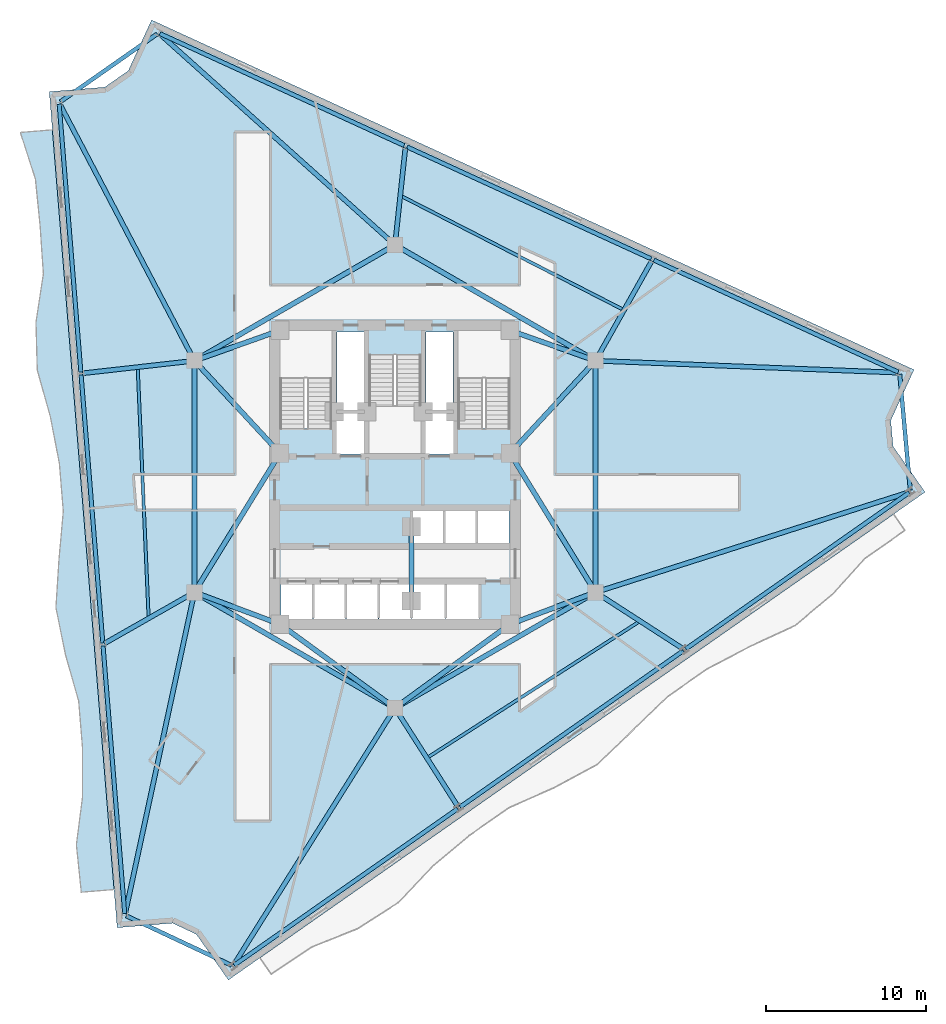
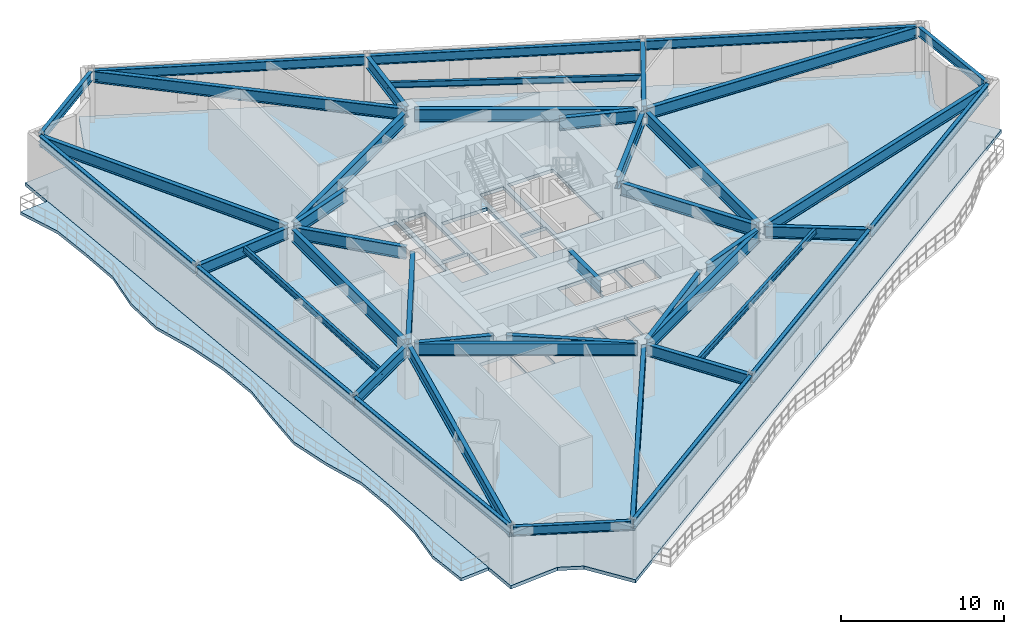
# One storey, part 3 of 10: 44 beams, 2 slabs.
"""IFC4 building model written with IfcOpenShell, lengths in metres."""

from ifc_helpers import new_model, si_unit, direction, frame, origin, origin_2d, place, context, subcontext, project, spatial, polyline, i_section, outline, extrude, material, layer, layer_set, material_profile, profile_set, type_object, element, save


model = new_model("IFC4")

# Units and contexts
model_context = context("Model", 3, precision=1e-05, world=origin(), true_north=direction((0.0, 1.0)))
body_context = subcontext(model_context, "Body", "Model", "MODEL_VIEW")
ifc_project = project(units=[si_unit("LENGTHUNIT", "METRE"), si_unit("AREAUNIT", "SQUARE_METRE"), si_unit("VOLUMEUNIT", "CUBIC_METRE"), si_unit("PLANEANGLEUNIT", "RADIAN"), si_unit("MASSUNIT", "GRAM", prefix="KILO")], contexts=[model_context])

# Site, building, storey
site_placement = place(None, origin())
site = spatial("IfcSite", under=ifc_project, at=site_placement, CompositionType="ELEMENT")
building_placement = place(site_placement, origin())
building = spatial("IfcBuilding", under=site, at=building_placement, Name="Apsidion Concourse Tower", CompositionType="ELEMENT")
storey_placement = place(building_placement, frame((0.0, 0.0, 218.800048828125)))
storey = spatial("IfcBuildingStorey", under=building, at=storey_placement, Name="L51", CompositionType="ELEMENT", Elevation=218.800048828125)

# Beams
ifc_material_1 = material(Name="Structural steel ASTM A992 Grade 50", Category="steel")
ifc_material_profile_1 = material_profile(ifc_material_1, i_section(OverallWidth=0.19091796875, OverallDepth=0.45703125, WebThickness=0.009033203125, FlangeThickness=0.014404296875, at=origin_2d()), Name="W18X50")
ifc_profile_set_1 = profile_set([ifc_material_profile_1], Name="Structural steel ASTM A992 Grade 50")
beam_type_1 = type_object("IfcBeamType", Name="BM-FL-W18", PredefinedType="BEAM", material=ifc_profile_set_1)
beam_1_placement = place(storey_placement, frame((-16.11181640625, 6.8505859375, 3.621337890625), z_axis=(0.043631006422, -0.999047714215, 0.0), x_axis=(0.999047714215, 0.043631006422, 0.0)))
element("IfcBeam", 1, at=beam_1_placement, inside=storey, type_object=beam_type_1, Name="L51 Secondary Floor Beam SEC-F1", PredefinedType="BEAM", context=body_context, shape_type="SweptSolid", body=[
    extrude(i_section(OverallWidth=0.19091796875, OverallDepth=0.45703125, WebThickness=0.009033203125, FlangeThickness=0.014404296875, at=origin_2d()), origin(), (0.0, 0.0, 1.0), 15.745849609375),
])
beam_2_placement = place(storey_placement, frame((1.998291015625, -17.62744140625, 3.621337890625), z_axis=(0.841372392943, 0.540455822796, 0.0), x_axis=(-0.540455822796, 0.841372392943, 0.0)))
element("IfcBeam", 2, at=beam_2_placement, inside=storey, type_object=beam_type_1, Name="L51 Secondary Floor Beam SEC-F2", PredefinedType="BEAM", context=body_context, shape_type="SweptSolid", body=[
    extrude(i_section(OverallWidth=0.19091796875, OverallDepth=0.45703125, WebThickness=0.009033203125, FlangeThickness=0.014404296875, at=origin_2d()), origin(), (0.0, 0.0, 1.0), 15.866943359375),
])
beam_3_placement = place(storey_placement, frame((14.345947265625, 10.4208984375, 3.621337890625), z_axis=(-0.89021964365, 0.455531542332, 0.0), x_axis=(-0.455531542332, -0.89021964365, 0.0)))
element("IfcBeam", 3, at=beam_3_placement, inside=storey, type_object=beam_type_1, Name="L51 Secondary Floor Beam SEC-F3", PredefinedType="BEAM", context=body_context, shape_type="SweptSolid", body=[
    extrude(i_section(OverallWidth=0.19091796875, OverallDepth=0.45703125, WebThickness=0.009033203125, FlangeThickness=0.014404296875, at=origin_2d()), origin(), (0.0, 0.0, 1.0), 15.742431640625),
])
ifc_material_profile_2 = material_profile(ifc_material_1, i_section(OverallWidth=0.2919921875, OverallDepth=0.85888671875, WebThickness=0.01708984375, FlangeThickness=0.031005859375, at=origin_2d()), Name="W33X169")
ifc_profile_set_2 = profile_set([ifc_material_profile_2], Name="Structural steel ASTM A992 Grade 50")
beam_type_2 = type_object("IfcBeamType", Name="BM-G-W33", PredefinedType="USERDEFINED", material=ifc_profile_set_2)
beam_4_placement = place(storey_placement, frame((-12.662109375, 7.44482421875, 3.42041015625), z_axis=(-0.464502454228, 0.885571832217, 0.0), x_axis=(-0.885571832217, -0.464502454228, 0.0)))
element("IfcBeam", 4, at=beam_4_placement, inside=storey, type_object=beam_type_2, Name="L51 Radial Floor Girder RAD-01", ObjectType="GIRDER", PredefinedType="USERDEFINED", context=body_context, shape_type="SweptSolid", body=[
    extrude(i_section(OverallWidth=0.2919921875, OverallDepth=0.85888671875, WebThickness=0.01708984375, FlangeThickness=0.031005859375, at=origin_2d()), origin(), (0.0, 0.0, 1.0), 17.93115234375),
])
beam_5_placement = place(storey_placement, frame((-12.778564453125, 7.225341796875, 3.42041015625), z_axis=(-0.993738563009, -0.111730337821, 0.0), x_axis=(0.111730337821, -0.993738563009, 0.0)))
element("IfcBeam", 5, at=beam_5_placement, inside=storey, type_object=beam_type_2, Name="L51 Radial Floor Girder RAD-02", ObjectType="GIRDER", PredefinedType="USERDEFINED", context=body_context, shape_type="SweptSolid", body=[
    extrude(i_section(OverallWidth=0.2919921875, OverallDepth=0.85888671875, WebThickness=0.01708984375, FlangeThickness=0.031005859375, at=origin_2d()), origin(), (0.0, 0.0, 1.0), 6.828369140625),
])
beam_6_placement = place(storey_placement, frame((-12.751220703125, -7.35888671875, 3.42041015625), z_axis=(-0.869137581248, -0.494570384134, 0.0), x_axis=(0.494570384134, -0.869137581248, 0.0)))
element("IfcBeam", 6, at=beam_6_placement, inside=storey, type_object=beam_type_2, Name="L51 Radial Floor Girder RAD-03", ObjectType="GIRDER", PredefinedType="USERDEFINED", context=body_context, shape_type="SweptSolid", body=[
    extrude(i_section(OverallWidth=0.2919921875, OverallDepth=0.85888671875, WebThickness=0.01708984375, FlangeThickness=0.031005859375, at=origin_2d()), origin(), (0.0, 0.0, 1.0), 6.272216796875),
])
beam_7_placement = place(storey_placement, frame((-12.606201171875, -7.465087890625, 3.42041015625), z_axis=(-0.210551493457, -0.97758276816, 0.0), x_axis=(0.97758276816, -0.210551493457, 0.0)))
element("IfcBeam", 7, at=beam_7_placement, inside=storey, type_object=beam_type_2, Name="L51 Radial Floor Girder RAD-04", ObjectType="GIRDER", PredefinedType="USERDEFINED", context=body_context, shape_type="SweptSolid", body=[
    extrude(i_section(OverallWidth=0.2919921875, OverallDepth=0.85888671875, WebThickness=0.01708984375, FlangeThickness=0.031005859375, at=origin_2d()), origin(), (0.0, 0.0, 1.0), 20.365966796875),
])
beam_8_placement = place(storey_placement, frame((-0.116943359375, -14.686279296875, 3.42041015625), z_axis=(-0.531745770751, -0.846904029562, 0.0), x_axis=(0.846904029562, -0.531745770751, 0.0)))
element("IfcBeam", 8, at=beam_8_placement, inside=storey, type_object=beam_type_2, Name="L51 Radial Floor Girder RAD-05", ObjectType="GIRDER", PredefinedType="USERDEFINED", context=body_context, shape_type="SweptSolid", body=[
    extrude(i_section(OverallWidth=0.2919921875, OverallDepth=0.85888671875, WebThickness=0.01708984375, FlangeThickness=0.031005859375, at=origin_2d()), origin(), (0.0, 0.0, 1.0), 18.7568359375),
])
beam_9_placement = place(storey_placement, frame((0.118408203125, -14.685302734375, 3.42041015625), z_axis=(0.538373682335, -0.842706222933, 0.0), x_axis=(0.842706222933, 0.538373682335, 0.0)))
element("IfcBeam", 9, at=beam_9_placement, inside=storey, type_object=beam_type_2, Name="L51 Radial Floor Girder RAD-06", ObjectType="GIRDER", PredefinedType="USERDEFINED", context=body_context, shape_type="SweptSolid", body=[
    extrude(i_section(OverallWidth=0.2919921875, OverallDepth=0.85888671875, WebThickness=0.01708984375, FlangeThickness=0.031005859375, at=origin_2d()), origin(), (0.0, 0.0, 1.0), 7.102783203125),
])
beam_10_placement = place(storey_placement, frame((12.744873046875, -7.369384765625, 3.42041015625), z_axis=(0.839870608356, -0.542786662714, 0.0), x_axis=(0.542786662714, 0.839870608356, 0.0)))
element("IfcBeam", 10, at=beam_10_placement, inside=storey, type_object=beam_type_2, Name="L51 Radial Floor Girder RAD-07", ObjectType="GIRDER", PredefinedType="USERDEFINED", context=body_context, shape_type="SweptSolid", body=[
    extrude(i_section(OverallWidth=0.2919921875, OverallDepth=0.85888671875, WebThickness=0.01708984375, FlangeThickness=0.031005859375, at=origin_2d()), origin(), (0.0, 0.0, 1.0), 6.319580078125),
])
beam_11_placement = place(storey_placement, frame((12.76953125, -7.18310546875, 3.42041015625), z_axis=(0.952593847726, 0.304244903449, 0.0), x_axis=(-0.304244903449, 0.952593847726, 0.0)))
element("IfcBeam", 11, at=beam_11_placement, inside=storey, type_object=beam_type_2, Name="L51 Radial Floor Girder RAD-08", ObjectType="GIRDER", PredefinedType="USERDEFINED", context=body_context, shape_type="SweptSolid", body=[
    extrude(i_section(OverallWidth=0.2919921875, OverallDepth=0.85888671875, WebThickness=0.01708984375, FlangeThickness=0.031005859375, at=origin_2d()), origin(), (0.0, 0.0, 1.0), 20.378173828125),
])
beam_12_placement = place(storey_placement, frame((12.77978515625, 7.2412109375, 3.42041015625), z_axis=(0.999223835847, -0.039391951902, 0.0), x_axis=(0.039391951902, 0.999223835847, 0.0)))
element("IfcBeam", 12, at=beam_12_placement, inside=storey, type_object=beam_type_2, Name="L51 Radial Floor Girder RAD-09", ObjectType="GIRDER", PredefinedType="USERDEFINED", context=body_context, shape_type="SweptSolid", body=[
    extrude(i_section(OverallWidth=0.2919921875, OverallDepth=0.85888671875, WebThickness=0.01708984375, FlangeThickness=0.031005859375, at=origin_2d()), origin(), (0.0, 0.0, 1.0), 18.73583984375),
])
beam_13_placement = place(storey_placement, frame((12.66796875, 7.441650390625, 3.42041015625), z_axis=(0.4907642116, 0.871292424283, 0.0), x_axis=(-0.871292424283, 0.4907642116, 0.0)))
element("IfcBeam", 13, at=beam_13_placement, inside=storey, type_object=beam_type_2, Name="L51 Radial Floor Girder RAD-10", ObjectType="GIRDER", PredefinedType="USERDEFINED", context=body_context, shape_type="SweptSolid", body=[
    extrude(i_section(OverallWidth=0.2919921875, OverallDepth=0.85888671875, WebThickness=0.01708984375, FlangeThickness=0.031005859375, at=origin_2d()), origin(), (0.0, 0.0, 1.0), 6.95849609375),
])
beam_14_placement = place(storey_placement, frame((0.0234375, 14.71875, 3.42041015625), z_axis=(0.106642710953, 0.994297406313, 0.0), x_axis=(-0.994297406313, 0.106642710953, 0.0)))
element("IfcBeam", 14, at=beam_14_placement, inside=storey, type_object=beam_type_2, Name="L51 Radial Floor Girder RAD-11", ObjectType="GIRDER", PredefinedType="USERDEFINED", context=body_context, shape_type="SweptSolid", body=[
    extrude(i_section(OverallWidth=0.2919921875, OverallDepth=0.85888671875, WebThickness=0.01708984375, FlangeThickness=0.031005859375, at=origin_2d()), origin(), (0.0, 0.0, 1.0), 5.899658203125),
])
beam_15_placement = place(storey_placement, frame((-0.163818359375, 14.64697265625, 3.42041015625), z_axis=(-0.74450463884, 0.667617287632, 0.0), x_axis=(-0.667617287632, -0.74450463884, 0.0)))
element("IfcBeam", 15, at=beam_15_placement, inside=storey, type_object=beam_type_2, Name="L51 Radial Floor Girder RAD-12", ObjectType="GIRDER", PredefinedType="USERDEFINED", context=body_context, shape_type="SweptSolid", body=[
    extrude(i_section(OverallWidth=0.2919921875, OverallDepth=0.85888671875, WebThickness=0.01708984375, FlangeThickness=0.031005859375, at=origin_2d()), origin(), (0.0, 0.0, 1.0), 19.566162109375),
])
ifc_material_profile_3 = material_profile(ifc_material_1, i_section(OverallWidth=0.31005859375, OverallDepth=0.931884765625, WebThickness=0.02099609375, FlangeThickness=0.034423828125, at=origin_2d()), Name="W36X210")
ifc_profile_set_3 = profile_set([ifc_material_profile_3], Name="Structural steel ASTM A992 Grade 50")
beam_type_3 = type_object("IfcBeamType", Name="BM-G-W36", PredefinedType="USERDEFINED", material=ifc_profile_set_3)
beam_16_placement = place(storey_placement, frame((-12.185302734375, -7.389892578125, 3.384033203125), z_axis=(0.936913021145, -0.349562570664, 0.0), x_axis=(0.349562570664, 0.936913021145, 0.0)))
element("IfcBeam", 16, at=beam_16_placement, inside=storey, type_object=beam_type_3, Name="L51 Core Coupling Girder IC1-SC1", ObjectType="GIRDER", PredefinedType="USERDEFINED", context=body_context, shape_type="SweptSolid", body=[
    extrude(i_section(OverallWidth=0.31005859375, OverallDepth=0.931884765625, WebThickness=0.02099609375, FlangeThickness=0.034423828125, at=origin_2d()), origin(), (0.0, 0.0, 1.0), 4.921142578125),
])
beam_17_placement = place(storey_placement, frame((-12.35009765625, -6.909423828125, 3.384033203125), z_axis=(0.524524009763, 0.851395656074, 0.0), x_axis=(-0.851395656074, 0.524524009763, 0.0)))
element("IfcBeam", 17, at=beam_17_placement, inside=storey, type_object=beam_type_3, Name="L51 Core Coupling Girder IC1-SC6", ObjectType="GIRDER", PredefinedType="USERDEFINED", context=body_context, shape_type="SweptSolid", body=[
    extrude(i_section(OverallWidth=0.31005859375, OverallDepth=0.931884765625, WebThickness=0.02099609375, FlangeThickness=0.034423828125, at=origin_2d()), origin(), (0.0, 0.0, 1.0), 9.41845703125),
])
beam_18_placement = place(storey_placement, frame((12.185302734375, -7.389892578125, 3.384033203125), z_axis=(-0.936913021145, -0.349562570664, 0.0), x_axis=(0.349562570664, -0.936913021145, 0.0)))
element("IfcBeam", 18, at=beam_18_placement, inside=storey, type_object=beam_type_3, Name="L51 Core Coupling Girder IC2-SC2", ObjectType="GIRDER", PredefinedType="USERDEFINED", context=body_context, shape_type="SweptSolid", body=[
    extrude(i_section(OverallWidth=0.31005859375, OverallDepth=0.931884765625, WebThickness=0.02099609375, FlangeThickness=0.034423828125, at=origin_2d()), origin(), (0.0, 0.0, 1.0), 4.921142578125),
])
beam_19_placement = place(storey_placement, frame((12.35009765625, -6.909423828125, 3.384033203125), z_axis=(-0.524524009763, 0.851395656074, 0.0), x_axis=(-0.851395656074, -0.524524009763, 0.0)))
element("IfcBeam", 19, at=beam_19_placement, inside=storey, type_object=beam_type_3, Name="L51 Core Coupling Girder IC2-SC3", ObjectType="GIRDER", PredefinedType="USERDEFINED", context=body_context, shape_type="SweptSolid", body=[
    extrude(i_section(OverallWidth=0.31005859375, OverallDepth=0.931884765625, WebThickness=0.02099609375, FlangeThickness=0.034423828125, at=origin_2d()), origin(), (0.0, 0.0, 1.0), 9.41845703125),
])
beam_20_placement = place(storey_placement, frame((12.28857421875, 6.956298828125, 3.384033203125), z_axis=(-0.678712876106, -0.73440372535, 0.0), x_axis=(0.73440372535, -0.678712876106, 0.0)))
element("IfcBeam", 20, at=beam_20_placement, inside=storey, type_object=beam_type_3, Name="L51 Core Coupling Girder IC3-SC3", ObjectType="GIRDER", PredefinedType="USERDEFINED", context=body_context, shape_type="SweptSolid", body=[
    extrude(i_section(OverallWidth=0.31005859375, OverallDepth=0.931884765625, WebThickness=0.02099609375, FlangeThickness=0.034423828125, at=origin_2d()), origin(), (0.0, 0.0, 1.0), 7.097412109375),
])
beam_21_placement = place(storey_placement, frame((12.18310546875, 7.383544921875, 3.384033203125), z_axis=(-0.942533844539, 0.334110688094, 0.0), x_axis=(-0.334110688094, -0.942533844539, 0.0)))
element("IfcBeam", 21, at=beam_21_placement, inside=storey, type_object=beam_type_3, Name="L51 Core Coupling Girder IC3-SC4", ObjectType="GIRDER", PredefinedType="USERDEFINED", context=body_context, shape_type="SweptSolid", body=[
    extrude(i_section(OverallWidth=0.31005859375, OverallDepth=0.931884765625, WebThickness=0.02099609375, FlangeThickness=0.034423828125, at=origin_2d()), origin(), (0.0, 0.0, 1.0), 4.886962890625),
])
beam_22_placement = place(storey_placement, frame((-12.28857421875, 6.956298828125, 3.384033203125), z_axis=(0.678712876106, -0.73440372535, 0.0), x_axis=(0.73440372535, 0.678712876106, 0.0)))
element("IfcBeam", 22, at=beam_22_placement, inside=storey, type_object=beam_type_3, Name="L51 Core Coupling Girder IC5-SC6", ObjectType="GIRDER", PredefinedType="USERDEFINED", context=body_context, shape_type="SweptSolid", body=[
    extrude(i_section(OverallWidth=0.31005859375, OverallDepth=0.931884765625, WebThickness=0.02099609375, FlangeThickness=0.034423828125, at=origin_2d()), origin(), (0.0, 0.0, 1.0), 7.097412109375),
])
beam_23_placement = place(storey_placement, frame((-12.18310546875, 7.383544921875, 3.384033203125), z_axis=(0.942533844539, 0.334110688094, 0.0), x_axis=(-0.334110688094, 0.942533844539, 0.0)))
element("IfcBeam", 23, at=beam_23_placement, inside=storey, type_object=beam_type_3, Name="L51 Core Coupling Girder IC5-SC5", ObjectType="GIRDER", PredefinedType="USERDEFINED", context=body_context, shape_type="SweptSolid", body=[
    extrude(i_section(OverallWidth=0.31005859375, OverallDepth=0.931884765625, WebThickness=0.02099609375, FlangeThickness=0.034423828125, at=origin_2d()), origin(), (0.0, 0.0, 1.0), 4.886962890625),
])
for number, where, z_axis, x_axis, name in (
    (24, (-0.3232421875, -14.264404296875, 3.384033203125), (-0.807993498909, 0.589191399905, 0.0), (-0.589191399905, -0.807993498909, 0.0), "L51 Core Coupling Girder IC6-SC1"),
    (25, (0.3232421875, -14.264404296875, 3.384033203125), (0.807993498909, 0.589191399905, 0.0), (-0.589191399905, 0.807993498909, 0.0), "L51 Core Coupling Girder IC6-SC2"),
):
    element("IfcBeam", number, at=place(storey_placement, frame(where, z_axis=z_axis, x_axis=x_axis)), inside=storey, type_object=beam_type_3, Name=name, ObjectType="GIRDER", PredefinedType="USERDEFINED", context=body_context, shape_type="SweptSolid", body=[
        extrude(i_section(OverallWidth=0.31005859375, OverallDepth=0.931884765625, WebThickness=0.02099609375, FlangeThickness=0.034423828125, at=origin_2d()), origin(), (0.0, 0.0, 1.0), 8.11083984375),
    ])
beam_24_placement = place(storey_placement, frame((-12.56005859375, -6.85009765625, 3.384033203125), z_axis=(0.0, 1.0, 0.0), x_axis=(-1.0, 0.0, 0.0)))
element("IfcBeam", 26, at=beam_24_placement, inside=storey, type_object=beam_type_3, Name="L51 Core Coupling Girder IC1-IC5", ObjectType="GIRDER", PredefinedType="USERDEFINED", context=body_context, shape_type="SweptSolid", body=[
    extrude(i_section(OverallWidth=0.31005859375, OverallDepth=0.931884765625, WebThickness=0.02099609375, FlangeThickness=0.034423828125, at=origin_2d()), origin(), (0.0, 0.0, 1.0), 13.7001953125),
])
for number, where, z_axis, x_axis, name in (
    (27, (-12.213623046875, 7.449951171875, 3.384033203125), (0.866070471464, 0.499921932364, 0.0), (-0.499921932364, 0.866070471464, 0.0), "L51 Core Coupling Girder IC5-IC4"),
    (28, (0.346435546875, 14.300048828125, 3.384033203125), (0.866070471464, -0.499921932364, 0.0), (0.499921932364, 0.866070471464, 0.0), "L51 Core Coupling Girder IC4-IC3"),
):
    element("IfcBeam", number, at=place(storey_placement, frame(where, z_axis=z_axis, x_axis=x_axis)), inside=storey, type_object=beam_type_3, Name=name, ObjectType="GIRDER", PredefinedType="USERDEFINED", context=body_context, shape_type="SweptSolid", body=[
        extrude(i_section(OverallWidth=0.31005859375, OverallDepth=0.931884765625, WebThickness=0.02099609375, FlangeThickness=0.034423828125, at=origin_2d()), origin(), (0.0, 0.0, 1.0), 13.702392578125),
    ])
beam_25_placement = place(storey_placement, frame((12.56005859375, 6.85009765625, 3.384033203125), z_axis=(0.0, -1.0, 0.0), x_axis=(1.0, 0.0, 0.0)))
element("IfcBeam", 29, at=beam_25_placement, inside=storey, type_object=beam_type_3, Name="L51 Core Coupling Girder IC3-IC2", ObjectType="GIRDER", PredefinedType="USERDEFINED", context=body_context, shape_type="SweptSolid", body=[
    extrude(i_section(OverallWidth=0.31005859375, OverallDepth=0.931884765625, WebThickness=0.02099609375, FlangeThickness=0.034423828125, at=origin_2d()), origin(), (0.0, 0.0, 1.0), 13.7001953125),
])
for number, where, z_axis, x_axis, name in (
    (30, (12.213623046875, -7.449951171875, 3.384033203125), (-0.866070471464, -0.499921932364, 0.0), (0.499921932364, -0.866070471464, 0.0), "L51 Core Coupling Girder IC2-IC6"),
    (31, (-0.346435546875, -14.300048828125, 3.384033203125), (-0.866070471464, 0.499921932364, 0.0), (-0.499921932364, -0.866070471464, 0.0), "L51 Core Coupling Girder IC6-IC1"),
):
    element("IfcBeam", number, at=place(storey_placement, frame(where, z_axis=z_axis, x_axis=x_axis)), inside=storey, type_object=beam_type_3, Name=name, ObjectType="GIRDER", PredefinedType="USERDEFINED", context=body_context, shape_type="SweptSolid", body=[
        extrude(i_section(OverallWidth=0.31005859375, OverallDepth=0.931884765625, WebThickness=0.02099609375, FlangeThickness=0.034423828125, at=origin_2d()), origin(), (0.0, 0.0, 1.0), 13.702392578125),
    ])
beam_26_placement = place(storey_placement, frame((1.02490234375, -3.550048828125, 3.384033203125), z_axis=(0.0, -1.0, 0.0), x_axis=(1.0, 0.0, 0.0)))
element("IfcBeam", 32, at=beam_26_placement, inside=storey, type_object=beam_type_3, Name="L51 Core Coupling Girder CC5-CC6", ObjectType="GIRDER", PredefinedType="USERDEFINED", context=body_context, shape_type="SweptSolid", body=[
    extrude(i_section(OverallWidth=0.31005859375, OverallDepth=0.931884765625, WebThickness=0.02099609375, FlangeThickness=0.034423828125, at=origin_2d()), origin(), (0.0, 0.0, 1.0), 3.849853515625),
])
ifc_material_profile_4 = material_profile(ifc_material_1, i_section(OverallWidth=0.256103515625, OverallDepth=0.693115234375, WebThickness=0.014404296875, FlangeThickness=0.023681640625, at=origin_2d()), Name="W27X114")
ifc_profile_set_4 = profile_set([ifc_material_profile_4], Name="Structural steel ASTM A992 Grade 50")
beam_type_4 = type_object("IfcBeamType", Name="BM-SP-W27", PredefinedType="SPANDREL", material=ifc_profile_set_4)
for number, where, z_axis, x_axis, name in (
    (33, (-21.029541015625, 23.31298828125, 3.50341796875), (0.080745704709, -0.996734734607, 0.0), (0.996734734607, 0.080745704709, 0.0), "L51 Perimeter Spandrel Girder SP-01"),
    (34, (-19.655517578125, 6.351318359375, 3.50341796875), (0.080745704709, -0.996734734607, 0.0), (0.996734734607, 0.080745704709, 0.0), "L51 Perimeter Spandrel Girder SP-02"),
):
    element("IfcBeam", number, at=place(storey_placement, frame(where, z_axis=z_axis, x_axis=x_axis)), inside=storey, type_object=beam_type_4, Name=name, PredefinedType="SPANDREL", context=body_context, shape_type="SweptSolid", body=[
        extrude(i_section(OverallWidth=0.256103515625, OverallDepth=0.693115234375, WebThickness=0.014404296875, FlangeThickness=0.023681640625, at=origin_2d()), origin(), (0.0, 0.0, 1.0), 16.817138671875),
    ])
beam_27_placement = place(storey_placement, frame((-18.281494140625, -10.610107421875, 3.50341796875), z_axis=(0.080744536336, -0.996734829256, 0.0), x_axis=(0.996734829256, 0.080744536336, 0.0)))
element("IfcBeam", 35, at=beam_27_placement, inside=storey, type_object=beam_type_4, Name="L51 Perimeter Spandrel Girder SP-03", PredefinedType="SPANDREL", context=body_context, shape_type="SweptSolid", body=[
    extrude(i_section(OverallWidth=0.256103515625, OverallDepth=0.693115234375, WebThickness=0.014404296875, FlangeThickness=0.023681640625, at=origin_2d()), origin(), (0.0, 0.0, 1.0), 16.8173828125),
])
beam_28_placement = place(storey_placement, frame((-16.824951171875, -27.514892578125, 3.50341796875), z_axis=(0.904961486734, -0.425493487057, 0.0), x_axis=(0.425493487057, 0.904961486734, 0.0)))
element("IfcBeam", 36, at=beam_28_placement, inside=storey, type_object=beam_type_4, Name="L51 Perimeter Spandrel Girder SP-04", PredefinedType="SPANDREL", context=body_context, shape_type="SweptSolid", body=[
    extrude(i_section(OverallWidth=0.256103515625, OverallDepth=0.693115234375, WebThickness=0.014404296875, FlangeThickness=0.023681640625, at=origin_2d()), origin(), (0.0, 0.0, 1.0), 7.282470703125),
])
beam_29_placement = place(storey_placement, frame((-10.06201171875, -30.598876953125, 3.50341796875), z_axis=(0.819150571533, 0.573578539659, 0.0), x_axis=(-0.573578539659, 0.819150571533, 0.0)))
element("IfcBeam", 37, at=beam_29_placement, inside=storey, type_object=beam_type_4, Name="L51 Perimeter Spandrel Girder SP-05", PredefinedType="SPANDREL", context=body_context, shape_type="SweptSolid", body=[
    extrude(i_section(OverallWidth=0.256103515625, OverallDepth=0.693115234375, WebThickness=0.014404296875, FlangeThickness=0.023681640625, at=origin_2d()), origin(), (0.0, 0.0, 1.0), 17.06201171875),
])
beam_30_placement = place(storey_placement, frame((4.078125, -20.69775390625, 3.50341796875), z_axis=(0.81915527902, 0.573571816649, 0.0), x_axis=(-0.573571816649, 0.81915527902, 0.0)))
element("IfcBeam", 38, at=beam_30_placement, inside=storey, type_object=beam_type_4, Name="L51 Perimeter Spandrel Girder SP-06", PredefinedType="SPANDREL", context=body_context, shape_type="SweptSolid", body=[
    extrude(i_section(OverallWidth=0.256103515625, OverallDepth=0.693115234375, WebThickness=0.014404296875, FlangeThickness=0.023681640625, at=origin_2d()), origin(), (0.0, 0.0, 1.0), 17.062255859375),
])
beam_31_placement = place(storey_placement, frame((18.218505859375, -10.79638671875, 3.50341796875), z_axis=(0.81916200197, 0.573562215046, 0.0), x_axis=(-0.573562215046, 0.81916200197, 0.0)))
element("IfcBeam", 39, at=beam_31_placement, inside=storey, type_object=beam_type_4, Name="L51 Perimeter Spandrel Girder SP-07", PredefinedType="SPANDREL", context=body_context, shape_type="SweptSolid", body=[
    extrude(i_section(OverallWidth=0.256103515625, OverallDepth=0.693115234375, WebThickness=0.014404296875, FlangeThickness=0.023681640625, at=origin_2d()), origin(), (0.0, 0.0, 1.0), 17.06201171875),
])
beam_32_placement = place(storey_placement, frame((32.267822265625, -0.853271484375, 3.50341796875), z_axis=(-0.090345320994, 0.99591049948, 0.0), x_axis=(-0.99591049948, -0.090345320994, 0.0)))
element("IfcBeam", 40, at=beam_32_placement, inside=storey, type_object=beam_type_4, Name="L51 Perimeter Spandrel Girder SP-08", PredefinedType="SPANDREL", context=body_context, shape_type="SweptSolid", body=[
    extrude(i_section(OverallWidth=0.256103515625, OverallDepth=0.693115234375, WebThickness=0.014404296875, FlangeThickness=0.023681640625, at=origin_2d()), origin(), (0.0, 0.0, 1.0), 7.28271484375),
])
beam_33_placement = place(storey_placement, frame((31.510009765625, 6.541015625, 3.50341796875), z_axis=(-0.909009828689, 0.416774676949, 0.0), x_axis=(-0.416774676949, -0.909009828689, 0.0)))
element("IfcBeam", 41, at=beam_33_placement, inside=storey, type_object=beam_type_4, Name="L51 Perimeter Spandrel Girder SP-09", PredefinedType="SPANDREL", context=body_context, shape_type="SweptSolid", body=[
    extrude(i_section(OverallWidth=0.256103515625, OverallDepth=0.693115234375, WebThickness=0.014404296875, FlangeThickness=0.023681640625, at=origin_2d()), origin(), (0.0, 0.0, 1.0), 16.8173828125),
])
beam_34_placement = place(storey_placement, frame((16.041015625, 13.63330078125, 3.50341796875), z_axis=(-0.909007306983, 0.416780176893, 0.0), x_axis=(-0.416780176893, -0.909007306983, 0.0)))
element("IfcBeam", 42, at=beam_34_placement, inside=storey, type_object=beam_type_4, Name="L51 Perimeter Spandrel Girder SP-10", PredefinedType="SPANDREL", context=body_context, shape_type="SweptSolid", body=[
    extrude(i_section(OverallWidth=0.256103515625, OverallDepth=0.693115234375, WebThickness=0.014404296875, FlangeThickness=0.023681640625, at=origin_2d()), origin(), (0.0, 0.0, 1.0), 16.817138671875),
])
beam_35_placement = place(storey_placement, frame((0.572509765625, 20.725830078125, 3.50341796875), z_axis=(-0.909009828689, 0.416774676949, 0.0), x_axis=(-0.416774676949, -0.909009828689, 0.0)))
element("IfcBeam", 43, at=beam_35_placement, inside=storey, type_object=beam_type_4, Name="L51 Perimeter Spandrel Girder SP-11", PredefinedType="SPANDREL", context=body_context, shape_type="SweptSolid", body=[
    extrude(i_section(OverallWidth=0.256103515625, OverallDepth=0.693115234375, WebThickness=0.014404296875, FlangeThickness=0.023681640625, at=origin_2d()), origin(), (0.0, 0.0, 1.0), 16.8173828125),
])
beam_36_placement = place(storey_placement, frame((-14.887451171875, 27.71923828125, 3.50341796875), z_axis=(-0.819157596458, -0.57356850695, 0.0), x_axis=(0.57356850695, -0.819157596458, 0.0)))
element("IfcBeam", 44, at=beam_36_placement, inside=storey, type_object=beam_type_4, Name="L51 Perimeter Spandrel Girder SP-12", PredefinedType="SPANDREL", context=body_context, shape_type="SweptSolid", body=[
    extrude(i_section(OverallWidth=0.256103515625, OverallDepth=0.693115234375, WebThickness=0.014404296875, FlangeThickness=0.023681640625, at=origin_2d()), origin(), (0.0, 0.0, 1.0), 7.407958984375),
])

# Slabs
ifc_material_2 = material(Name="Concrete C50/60", Category="concrete")
ifc_layer_1 = layer(ifc_material_2, 0.219970703125)
ifc_layer_set_1 = layer_set([ifc_layer_1], Name="Concrete C50/60")
slab_type_1 = type_object("IfcSlabType", Name="SL-BAL-220", PredefinedType="FLOOR", material=ifc_layer_set_1)
slab_1_placement = place(storey_placement, frame((0.0, 0.0, -0.219970703125)))
element("IfcSlab", 45, at=slab_1_placement, inside=storey, type_object=slab_type_1, Name="L51 Face 1 Rippling Balcony Slab", PredefinedType="FLOOR", context=body_context, shape_type="SweptSolid", body=[
    extrude(outline(polyline([(-21.455810546875, 21.7080078125), (-21.21435546875, 18.73486328125), (-20.972900390625, 15.76171875), (-20.7314453125, 12.788330078125), (-20.489990234375, 9.815185546875), (-20.248779296875, 6.842041015625), (-20.00732421875, 3.868896484375), (-19.765869140625, 0.8955078125), (-19.5244140625, -2.07763671875), (-19.283203125, -5.05078125), (-19.041748046875, -8.024169921875), (-18.80029296875, -10.997314453125), (-18.558837890625, -13.970458984375), (-18.3173828125, -16.943603515625), (-18.075927734375, -19.9169921875), (-17.834716796875, -22.89013671875), (-17.59326171875, -25.86328125), (-19.642578125, -26.02978515625), (-19.9501953125, -23.06201171875), (-19.560546875, -20.037353515625), (-19.5634765625, -17.044921875), (-19.8046875, -14.071533203125), (-20.636474609375, -11.146240234375), (-21.23291015625, -8.201904296875), (-21.03955078125, -5.193603515625), (-20.7705078125, -2.1787109375), (-21.01171875, 0.79443359375), (-21.578125, 3.7412109375), (-22.400146484375, 6.667236328125), (-22.480712890625, 9.653564453125), (-22.0166015625, 12.68408203125), (-22.218994140625, 15.660400390625), (-22.515380859375, 18.629150390625), (-23.458740234375, 21.54541015625), (-21.455810546875, 21.7080078125)])), origin(), (0.0, 0.0, 1.0), 0.219970703125),
])
ifc_layer_2 = layer(ifc_material_2, 0.25)
ifc_layer_set_2 = layer_set([ifc_layer_2], Name="Concrete C50/60")
slab_type_2 = type_object("IfcSlabType", Name="SL-FLR-250", PredefinedType="FLOOR", material=ifc_layer_set_2)
slab_2_placement = place(storey_placement, frame((0.0, 0.0, -0.25)))
element("IfcSlab", 46, at=slab_2_placement, inside=storey, type_object=slab_type_2, Name="L51 Structural Floor Slab", PredefinedType="FLOOR", context=body_context, shape_type="SweptSolid", body=[
    extrude(outline(polyline([(-15.241943359375, 28.5869140625), (-16.6982421875, 25.41259765625), (-18.1689453125, 24.3828125), (-21.64990234375, 24.10009765625), (-17.39892578125, -28.25537109375), (-13.91796875, -27.972900390625), (-12.436279296875, -28.669189453125), (-10.43310546875, -31.530029296875), (33.197021484375, -0.97998046875), (31.19384765625, 1.880859375), (31.0458984375, 3.51123046875), (32.502197265625, 6.685791015625), (-15.241943359375, 28.5869140625)]), holes=[polyline([(-3.949951171875, 3.0), (-3.949951171875, 9.14990234375), (-7.199951171875, 9.14990234375), (-7.199951171875, 3.0), (-3.949951171875, 3.0)]), polyline([(7.199951171875, 3.0), (7.199951171875, 9.14990234375), (3.949951171875, 9.14990234375), (3.949951171875, 3.0), (7.199951171875, 3.0)]), polyline([(-1.625, 7.60009765625), (-1.625, 1.449951171875), (1.625, 1.449951171875), (1.625, 7.60009765625), (-1.625, 7.60009765625)]), polyline([(1.054931640625, -4.300048828125), (3.044921875, -4.300048828125), (3.044921875, -2.050048828125), (1.054931640625, -2.050048828125), (1.054931640625, -4.300048828125)]), polyline([(3.10498046875, -4.300048828125), (5.094970703125, -4.300048828125), (5.094970703125, -2.050048828125), (3.10498046875, -2.050048828125), (3.10498046875, -4.300048828125)]), polyline([(5.155029296875, -4.300048828125), (7.14501953125, -4.300048828125), (7.14501953125, -2.050048828125), (5.155029296875, -2.050048828125), (5.155029296875, -4.300048828125)]), polyline([(-7.14501953125, -8.949951171875), (-5.155029296875, -8.949951171875), (-5.155029296875, -6.64990234375), (-7.14501953125, -6.64990234375), (-7.14501953125, -8.949951171875)]), polyline([(-5.094970703125, -8.949951171875), (-3.10498046875, -8.949951171875), (-3.10498046875, -6.64990234375), (-5.094970703125, -6.64990234375), (-5.094970703125, -8.949951171875)]), polyline([(-3.044921875, -8.949951171875), (-1.054931640625, -8.949951171875), (-1.054931640625, -6.64990234375), (-3.044921875, -6.64990234375), (-3.044921875, -8.949951171875)]), polyline([(-0.9951171875, -8.949951171875), (0.9951171875, -8.949951171875), (0.9951171875, -6.64990234375), (-0.9951171875, -6.64990234375), (-0.9951171875, -8.949951171875)]), polyline([(1.044921875, -9.0), (3.155029296875, -9.0), (3.155029296875, -6.64990234375), (1.044921875, -6.64990234375), (1.044921875, -9.0)]), polyline([(3.195068359375, -9.0), (5.304931640625, -9.0), (5.304931640625, -6.64990234375), (3.195068359375, -6.64990234375), (3.195068359375, -9.0)]), polyline([(-3.7099609375, 1.39990234375), (-1.85009765625, 1.39990234375), (-1.85009765625, 4.0), (-3.7099609375, 4.0), (-3.7099609375, 1.39990234375)]), polyline([(1.85009765625, 1.39990234375), (3.7099609375, 1.39990234375), (3.7099609375, 4.0), (1.85009765625, 4.0), (1.85009765625, 1.39990234375)]), polyline([(-3.6201171875, 4.14990234375), (-1.93994140625, 4.14990234375), (-1.93994140625, 9.050048828125), (-3.6201171875, 9.050048828125), (-3.6201171875, 4.14990234375)]), polyline([(1.93994140625, 4.14990234375), (3.6201171875, 4.14990234375), (3.6201171875, 9.050048828125), (1.93994140625, 9.050048828125), (1.93994140625, 4.14990234375)])]), origin(), (0.0, 0.0, 1.0), 0.25),
])

save(model, "model.ifc")
